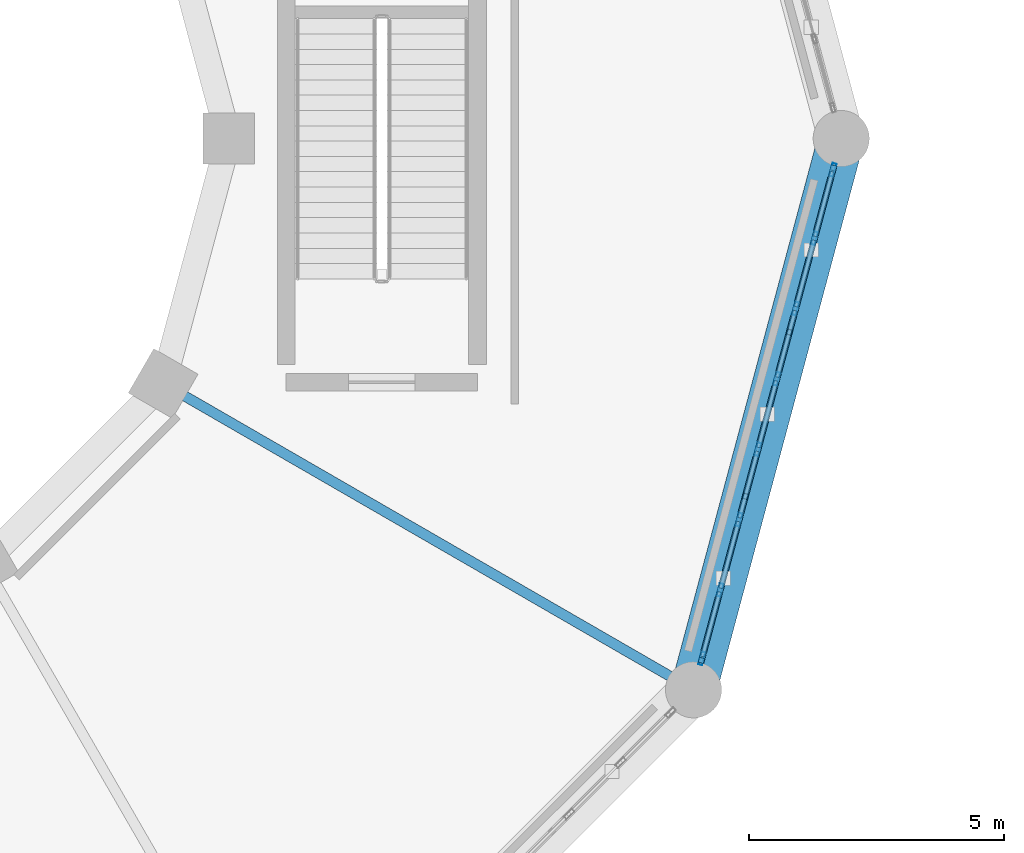
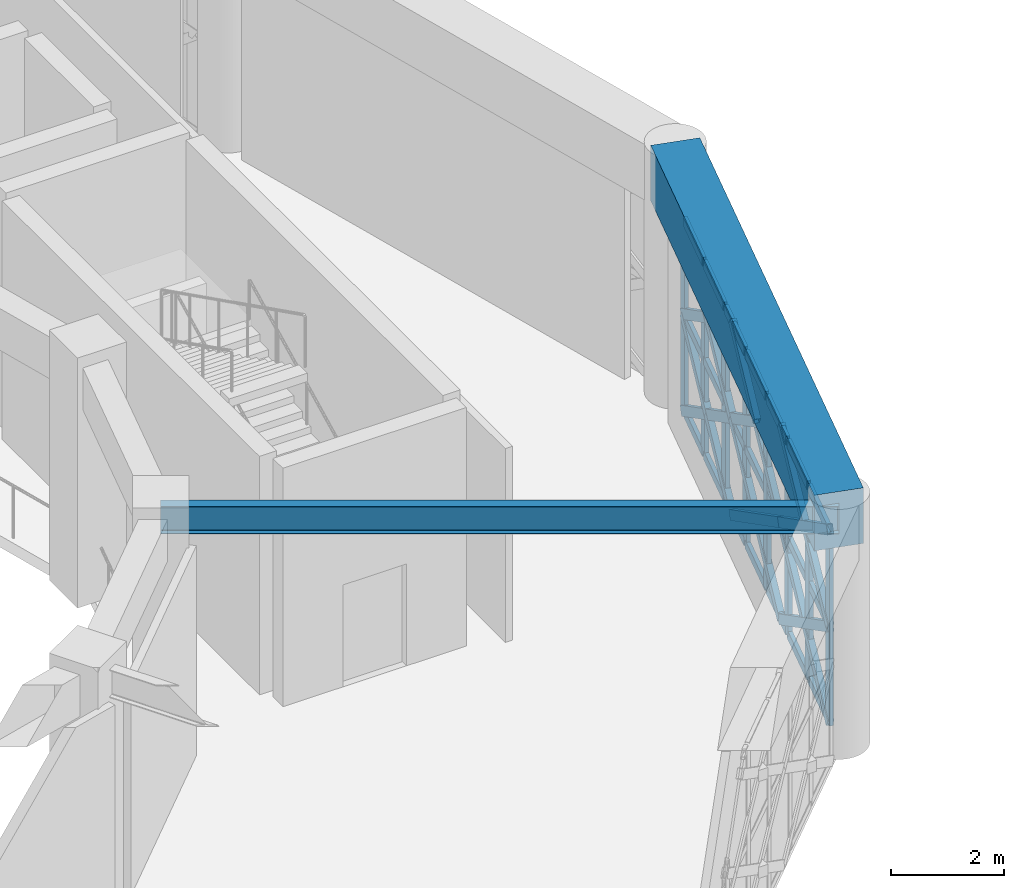
# One storey, part 31 of 72: 47 members, 2 beams, 1 element without a shape of its own.
"""IFC4 building model written with IfcOpenShell, lengths in metres."""

from ifc_helpers import new_model, si_unit, direction, frame, origin, origin_2d, place, context, subcontext, project, spatial, rectangle, hollow_rectangle, i_section, extrude, material, material_profile, profile_set, type_object, element, aggregate, save


model = new_model("IFC4")

# Units and contexts
model_context = context("Model", 3, precision=1e-05, world=origin(), true_north=direction((0.0, 1.0)))
body_context = subcontext(model_context, "Body", "Model", "MODEL_VIEW")
ifc_project = project(units=[si_unit("LENGTHUNIT", "METRE"), si_unit("AREAUNIT", "SQUARE_METRE"), si_unit("VOLUMEUNIT", "CUBIC_METRE"), si_unit("PLANEANGLEUNIT", "RADIAN"), si_unit("MASSUNIT", "GRAM", prefix="KILO")], contexts=[model_context])

# Site, building, storey
site_placement = place(None, origin())
site = spatial("IfcSite", under=ifc_project, at=site_placement, CompositionType="ELEMENT")
building_placement = place(site_placement, origin())
building = spatial("IfcBuilding", under=site, at=building_placement, Name="Haizhuo Lancet Aquarium", CompositionType="ELEMENT")
storey_placement = place(building_placement, frame((0.0, 0.0, 21.60009765625)))
storey = spatial("IfcBuildingStorey", under=building, at=storey_placement, Name="L04", CompositionType="ELEMENT", Elevation=21.60009765625)

# Beams
ifc_material_1 = material(Name="Concrete C50/60", Category="concrete")
ifc_material_profile_1 = material_profile(ifc_material_1, rectangle(XDim=0.89990234375, YDim=1.199951171875, at=origin_2d()), Name="RC-RB 900x1200")
ifc_profile_set_1 = profile_set([ifc_material_profile_1], Name="Concrete C50/60")
beam_type_1 = type_object("IfcBeamType", Name="BM-RB-900x1200", PredefinedType="USERDEFINED", material=ifc_profile_set_1)
beam_1_placement = place(storey_placement, frame((18.7060546875, -10.800048828125, 4.7998046875), z_axis=(0.258833949056, 0.965921832664, 0.0), x_axis=(-0.965921832664, 0.258833949056, 0.0)))
element("IfcBeam", 1, at=beam_1_placement, inside=storey, type_object=beam_type_1, Name="Ocean Hall dome tension ring beam RB-1 seg 12", ObjectType="RING BEAM", PredefinedType="USERDEFINED", context=body_context, shape_type="SweptSolid", body=[
    extrude(rectangle(XDim=0.89990234375, YDim=1.199951171875, at=origin_2d()), origin(), (0.0, 0.0, 1.0), 11.18115234375),
])
ifc_material_2 = material(Name="Steel S355", Category="steel")
ifc_material_profile_2 = material_profile(ifc_material_2, i_section(OverallWidth=0.199951171875, OverallDepth=0.60009765625, WebThickness=0.010986328125, FlangeThickness=0.01708984375, FilletRadius=0.02197265625, at=origin_2d()), Name="HN 600x200x11x17")
ifc_profile_set_2 = profile_set([ifc_material_profile_2], Name="Steel S355")
beam_type_2 = type_object("IfcBeamType", Name="BM-ST-HN600", PredefinedType="BEAM", material=ifc_profile_set_2)
beam_2_placement = place(storey_placement, frame((8.31396484375, -4.800048828125, 4.849853515625), z_axis=(0.866020924479, -0.500007758305, 0.0), x_axis=(0.500007758305, 0.866020924479, 0.0)))
element("IfcBeam", 2, at=beam_2_placement, inside=storey, type_object=beam_type_2, Name="L04 radial gallery girder 12", PredefinedType="BEAM", context=body_context, shape_type="SweptSolid", body=[
    extrude(i_section(OverallWidth=0.199951171875, OverallDepth=0.60009765625, WebThickness=0.010986328125, FlangeThickness=0.01708984375, FilletRadius=0.02197265625, at=origin_2d()), origin(), (0.0, 0.0, 1.0), 11.999755859375),
])

# Curtain wall, members
ifc_material_3 = material(Name="Aluminium 6063-T6", Category="aluminium")
curtain_wall_type = type_object("IfcCurtainWallType", Name="CWO-9990x4180", PredefinedType="NOTDEFINED", material=ifc_material_3)
curtain_wall_placement = place(storey_placement, origin())
curtain_wall = element("IfcCurtainWall", 3, at=curtain_wall_placement, inside=storey, type_object=curtain_wall_type, Name="L04 curtain wall CW-V1-L04-12", PredefinedType="NOTDEFINED")
ifc_material_profile_3 = material_profile(ifc_material_3, hollow_rectangle(XDim=0.080078125, YDim=0.260009765625, WallThickness=0.0048828125, at=origin_2d()), Name="ALU-M 80x260x5")
ifc_profile_set_3 = profile_set([ifc_material_profile_3], Name="Aluminium 6063-T6")
member_type_1 = type_object("IfcMemberType", Name="CW-MUL-3", PredefinedType="MULLION", material=ifc_profile_set_3)
member_1_placement = place(storey_placement, frame((21.43603515625, -0.614013671875, 0.0), z_axis=(0.0, 0.0, 1.0), x_axis=(0.965916791212, -0.258852762117, 0.0)))
member_1 = element("IfcMember", 4, at=member_1_placement, type_object=member_type_1, Name="CWO-99x41 mullion 1", PredefinedType="MULLION", context=body_context, shape_type="SweptSolid", body=[
    extrude(hollow_rectangle(XDim=0.080078125, YDim=0.260009765625, WallThickness=0.0048828125, at=origin_2d()), origin(), (0.0, 0.0, 1.0), 4.184814453125),
])
member_2_placement = place(storey_placement, frame((21.076904296875, -1.9541015625, 0.0), z_axis=(0.0, 0.0, 1.0), x_axis=(0.965916791212, -0.258852762117, 0.0)))
member_2 = element("IfcMember", 5, at=member_2_placement, type_object=member_type_1, Name="CWO-99x41 mullion 2", PredefinedType="MULLION", context=body_context, shape_type="SweptSolid", body=[
    extrude(hollow_rectangle(XDim=0.080078125, YDim=0.260009765625, WallThickness=0.0048828125, at=origin_2d()), origin(), (0.0, 0.0, 1.0), 4.184814453125),
])
member_3_placement = place(storey_placement, frame((20.70703125, -3.33203125, 0.0), z_axis=(0.0, 0.0, 1.0), x_axis=(0.965916791212, -0.258852762117, 0.0)))
member_3 = element("IfcMember", 6, at=member_3_placement, type_object=member_type_1, Name="CWO-99x41 mullion 3", PredefinedType="MULLION", context=body_context, shape_type="SweptSolid", body=[
    extrude(hollow_rectangle(XDim=0.080078125, YDim=0.260009765625, WallThickness=0.0048828125, at=origin_2d()), origin(), (0.0, 0.0, 1.0), 4.184814453125),
])
member_4_placement = place(storey_placement, frame((20.337890625, -4.7109375, 0.0), z_axis=(0.0, 0.0, 1.0), x_axis=(0.965916791212, -0.258852762117, 0.0)))
member_4 = element("IfcMember", 7, at=member_4_placement, type_object=member_type_1, Name="CWO-99x41 mullion 4", PredefinedType="MULLION", context=body_context, shape_type="SweptSolid", body=[
    extrude(hollow_rectangle(XDim=0.080078125, YDim=0.260009765625, WallThickness=0.0048828125, at=origin_2d()), origin(), (0.0, 0.0, 1.0), 4.184814453125),
])
member_5_placement = place(storey_placement, frame((19.968017578125, -6.089111328125, 0.0), z_axis=(0.0, 0.0, 1.0), x_axis=(0.965916791212, -0.258852762117, 0.0)))
member_5 = element("IfcMember", 8, at=member_5_placement, type_object=member_type_1, Name="CWO-99x41 mullion 5", PredefinedType="MULLION", context=body_context, shape_type="SweptSolid", body=[
    extrude(hollow_rectangle(XDim=0.080078125, YDim=0.260009765625, WallThickness=0.0048828125, at=origin_2d()), origin(), (0.0, 0.0, 1.0), 4.184814453125),
])
member_6_placement = place(storey_placement, frame((19.59912109375, -7.468017578125, 0.0), z_axis=(0.0, 0.0, 1.0), x_axis=(0.965916791212, -0.258852762117, 0.0)))
member_6 = element("IfcMember", 9, at=member_6_placement, type_object=member_type_1, Name="CWO-99x41 mullion 6", PredefinedType="MULLION", context=body_context, shape_type="SweptSolid", body=[
    extrude(hollow_rectangle(XDim=0.080078125, YDim=0.260009765625, WallThickness=0.0048828125, at=origin_2d()), origin(), (0.0, 0.0, 1.0), 4.184814453125),
])
member_7_placement = place(storey_placement, frame((19.22900390625, -8.845947265625, 0.0), z_axis=(0.0, 0.0, 1.0), x_axis=(0.965916791212, -0.258852762117, 0.0)))
member_7 = element("IfcMember", 10, at=member_7_placement, type_object=member_type_1, Name="CWO-99x41 mullion 7", PredefinedType="MULLION", context=body_context, shape_type="SweptSolid", body=[
    extrude(hollow_rectangle(XDim=0.080078125, YDim=0.260009765625, WallThickness=0.0048828125, at=origin_2d()), origin(), (0.0, 0.0, 1.0), 4.184814453125),
])
member_8_placement = place(storey_placement, frame((18.8701171875, -10.18603515625, 0.0), z_axis=(0.0, 0.0, 1.0), x_axis=(0.965916791212, -0.258852762117, 0.0)))
member_8 = element("IfcMember", 11, at=member_8_placement, type_object=member_type_1, Name="CWO-99x41 mullion 8", PredefinedType="MULLION", context=body_context, shape_type="SweptSolid", body=[
    extrude(hollow_rectangle(XDim=0.080078125, YDim=0.260009765625, WallThickness=0.0048828125, at=origin_2d()), origin(), (0.0, 0.0, 1.0), 4.184814453125),
])
ifc_material_profile_4 = material_profile(ifc_material_3, hollow_rectangle(XDim=0.080078125, YDim=0.18994140625, WallThickness=0.0048828125, at=origin_2d()), Name="ALU-T 80x190x5")
ifc_profile_set_4 = profile_set([ifc_material_profile_4], Name="Aluminium 6063-T6")
member_type_2 = type_object("IfcMemberType", Name="CW-TRN-3", PredefinedType="NOTDEFINED", material=ifc_profile_set_4)
member_9_placement = place(storey_placement, frame((21.425048828125, -0.652099609375, 0.039794921875), z_axis=(-0.258627187571, -0.965977213939, 0.0), x_axis=(0.965977213939, -0.258627187571, 0.0)))
member_9 = element("IfcMember", 12, at=member_9_placement, type_object=member_type_2, Name="CWO-99x41 transom 1.1", ObjectType="TRANSOM", PredefinedType="USERDEFINED", context=body_context, shape_type="SweptSolid", body=[
    extrude(hollow_rectangle(XDim=0.080078125, YDim=0.18994140625, WallThickness=0.0048828125, at=origin_2d()), origin(), (0.0, 0.0, 1.0), 1.307373046875),
])
member_10_placement = place(storey_placement, frame((21.425048828125, -0.652099609375, 2.093017578125), z_axis=(-0.258627187571, -0.965977213939, 0.0), x_axis=(0.965977213939, -0.258627187571, 0.0)))
member_10 = element("IfcMember", 13, at=member_10_placement, type_object=member_type_2, Name="CWO-99x41 transom 1.2", ObjectType="TRANSOM", PredefinedType="USERDEFINED", context=body_context, shape_type="SweptSolid", body=[
    extrude(hollow_rectangle(XDim=0.080078125, YDim=0.18994140625, WallThickness=0.0048828125, at=origin_2d()), origin(), (0.0, 0.0, 1.0), 1.307373046875),
])
member_11_placement = place(storey_placement, frame((21.425048828125, -0.652099609375, 4.14501953125), z_axis=(-0.258627187571, -0.965977213939, 0.0), x_axis=(0.965977213939, -0.258627187571, 0.0)))
member_11 = element("IfcMember", 14, at=member_11_placement, type_object=member_type_2, Name="CWO-99x41 transom 1.3", ObjectType="TRANSOM", PredefinedType="USERDEFINED", context=body_context, shape_type="SweptSolid", body=[
    extrude(hollow_rectangle(XDim=0.080078125, YDim=0.18994140625, WallThickness=0.0048828125, at=origin_2d()), origin(), (0.0, 0.0, 1.0), 1.307373046875),
])
member_12_placement = place(storey_placement, frame((21.06591796875, -1.991943359375, 0.039794921875), z_axis=(-0.258823600504, -0.965924605661, 0.0), x_axis=(0.965924605661, -0.258823600504, 0.0)))
member_12 = element("IfcMember", 15, at=member_12_placement, type_object=member_type_2, Name="CWO-99x41 transom 2.1", ObjectType="TRANSOM", PredefinedType="USERDEFINED", context=body_context, shape_type="SweptSolid", body=[
    extrude(hollow_rectangle(XDim=0.080078125, YDim=0.18994140625, WallThickness=0.0048828125, at=origin_2d()), origin(), (0.0, 0.0, 1.0), 1.347900390625),
])
member_13_placement = place(storey_placement, frame((21.06591796875, -1.991943359375, 2.093017578125), z_axis=(-0.258823600504, -0.965924605661, 0.0), x_axis=(0.965924605661, -0.258823600504, 0.0)))
member_13 = element("IfcMember", 16, at=member_13_placement, type_object=member_type_2, Name="CWO-99x41 transom 2.2", ObjectType="TRANSOM", PredefinedType="USERDEFINED", context=body_context, shape_type="SweptSolid", body=[
    extrude(hollow_rectangle(XDim=0.080078125, YDim=0.18994140625, WallThickness=0.0048828125, at=origin_2d()), origin(), (0.0, 0.0, 1.0), 1.347900390625),
])
member_14_placement = place(storey_placement, frame((21.06591796875, -1.991943359375, 4.14501953125), z_axis=(-0.258823600504, -0.965924605661, 0.0), x_axis=(0.965924605661, -0.258823600504, 0.0)))
member_14 = element("IfcMember", 17, at=member_14_placement, type_object=member_type_2, Name="CWO-99x41 transom 2.3", ObjectType="TRANSOM", PredefinedType="USERDEFINED", context=body_context, shape_type="SweptSolid", body=[
    extrude(hollow_rectangle(XDim=0.080078125, YDim=0.18994140625, WallThickness=0.0048828125, at=origin_2d()), origin(), (0.0, 0.0, 1.0), 1.347900390625),
])
member_15_placement = place(storey_placement, frame((20.697021484375, -3.37109375, 0.039794921875), z_axis=(-0.259173926217, -0.965830666302, 0.0), x_axis=(0.965830666302, -0.259173926217, 0.0)))
member_15 = element("IfcMember", 18, at=member_15_placement, type_object=member_type_2, Name="CWO-99x41 transom 3.1", ObjectType="TRANSOM", PredefinedType="USERDEFINED", context=body_context, shape_type="SweptSolid", body=[
    extrude(hollow_rectangle(XDim=0.080078125, YDim=0.18994140625, WallThickness=0.0048828125, at=origin_2d()), origin(), (0.0, 0.0, 1.0), 1.34716796875),
])
member_16_placement = place(storey_placement, frame((20.697021484375, -3.37109375, 2.093017578125), z_axis=(-0.259173926217, -0.965830666302, 0.0), x_axis=(0.965830666302, -0.259173926217, 0.0)))
member_16 = element("IfcMember", 19, at=member_16_placement, type_object=member_type_2, Name="CWO-99x41 transom 3.2", ObjectType="TRANSOM", PredefinedType="USERDEFINED", context=body_context, shape_type="SweptSolid", body=[
    extrude(hollow_rectangle(XDim=0.080078125, YDim=0.18994140625, WallThickness=0.0048828125, at=origin_2d()), origin(), (0.0, 0.0, 1.0), 1.34716796875),
])
member_17_placement = place(storey_placement, frame((20.697021484375, -3.37109375, 4.14501953125), z_axis=(-0.259173926217, -0.965830666302, 0.0), x_axis=(0.965830666302, -0.259173926217, 0.0)))
member_17 = element("IfcMember", 20, at=member_17_placement, type_object=member_type_2, Name="CWO-99x41 transom 3.3", ObjectType="TRANSOM", PredefinedType="USERDEFINED", context=body_context, shape_type="SweptSolid", body=[
    extrude(hollow_rectangle(XDim=0.080078125, YDim=0.18994140625, WallThickness=0.0048828125, at=origin_2d()), origin(), (0.0, 0.0, 1.0), 1.34716796875),
])
member_18_placement = place(storey_placement, frame((20.326904296875, -4.7490234375, 0.039794921875), z_axis=(-0.258147455011, -0.966105528124, 0.0), x_axis=(0.966105528124, -0.258147455011, 0.0)))
member_18 = element("IfcMember", 21, at=member_18_placement, type_object=member_type_2, Name="CWO-99x41 transom 4.1", ObjectType="TRANSOM", PredefinedType="USERDEFINED", context=body_context, shape_type="SweptSolid", body=[
    extrude(hollow_rectangle(XDim=0.080078125, YDim=0.18994140625, WallThickness=0.0048828125, at=origin_2d()), origin(), (0.0, 0.0, 1.0), 1.34765625),
])
member_19_placement = place(storey_placement, frame((20.326904296875, -4.7490234375, 2.093017578125), z_axis=(-0.258147455011, -0.966105528124, 0.0), x_axis=(0.966105528124, -0.258147455011, 0.0)))
member_19 = element("IfcMember", 22, at=member_19_placement, type_object=member_type_2, Name="CWO-99x41 transom 4.2", ObjectType="TRANSOM", PredefinedType="USERDEFINED", context=body_context, shape_type="SweptSolid", body=[
    extrude(hollow_rectangle(XDim=0.080078125, YDim=0.18994140625, WallThickness=0.0048828125, at=origin_2d()), origin(), (0.0, 0.0, 1.0), 1.34765625),
])
member_20_placement = place(storey_placement, frame((20.326904296875, -4.7490234375, 4.14501953125), z_axis=(-0.258147455011, -0.966105528124, 0.0), x_axis=(0.966105528124, -0.258147455011, 0.0)))
member_20 = element("IfcMember", 23, at=member_20_placement, type_object=member_type_2, Name="CWO-99x41 transom 4.3", ObjectType="TRANSOM", PredefinedType="USERDEFINED", context=body_context, shape_type="SweptSolid", body=[
    extrude(hollow_rectangle(XDim=0.080078125, YDim=0.18994140625, WallThickness=0.0048828125, at=origin_2d()), origin(), (0.0, 0.0, 1.0), 1.34765625),
])
member_21_placement = place(storey_placement, frame((19.9580078125, -6.1279296875, 0.039794921875), z_axis=(-0.259173926217, -0.965830666302, 0.0), x_axis=(0.965830666302, -0.259173926217, 0.0)))
member_21 = element("IfcMember", 24, at=member_21_placement, type_object=member_type_2, Name="CWO-99x41 transom 5.1", ObjectType="TRANSOM", PredefinedType="USERDEFINED", context=body_context, shape_type="SweptSolid", body=[
    extrude(hollow_rectangle(XDim=0.080078125, YDim=0.18994140625, WallThickness=0.0048828125, at=origin_2d()), origin(), (0.0, 0.0, 1.0), 1.34716796875),
])
member_22_placement = place(storey_placement, frame((19.9580078125, -6.1279296875, 2.093017578125), z_axis=(-0.259173926217, -0.965830666302, 0.0), x_axis=(0.965830666302, -0.259173926217, 0.0)))
member_22 = element("IfcMember", 25, at=member_22_placement, type_object=member_type_2, Name="CWO-99x41 transom 5.2", ObjectType="TRANSOM", PredefinedType="USERDEFINED", context=body_context, shape_type="SweptSolid", body=[
    extrude(hollow_rectangle(XDim=0.080078125, YDim=0.18994140625, WallThickness=0.0048828125, at=origin_2d()), origin(), (0.0, 0.0, 1.0), 1.34716796875),
])
member_23_placement = place(storey_placement, frame((19.9580078125, -6.1279296875, 4.14501953125), z_axis=(-0.259173926217, -0.965830666302, 0.0), x_axis=(0.965830666302, -0.259173926217, 0.0)))
member_23 = element("IfcMember", 26, at=member_23_placement, type_object=member_type_2, Name="CWO-99x41 transom 5.3", ObjectType="TRANSOM", PredefinedType="USERDEFINED", context=body_context, shape_type="SweptSolid", body=[
    extrude(hollow_rectangle(XDim=0.080078125, YDim=0.18994140625, WallThickness=0.0048828125, at=origin_2d()), origin(), (0.0, 0.0, 1.0), 1.34716796875),
])
member_24_placement = place(storey_placement, frame((19.589111328125, -7.506103515625, 0.039794921875), z_axis=(-0.25899257749, -0.965879311718, 0.0), x_axis=(0.965879311718, -0.25899257749, 0.0)))
member_24 = element("IfcMember", 27, at=member_24_placement, type_object=member_type_2, Name="CWO-99x41 transom 6.1", ObjectType="TRANSOM", PredefinedType="USERDEFINED", context=body_context, shape_type="SweptSolid", body=[
    extrude(hollow_rectangle(XDim=0.080078125, YDim=0.18994140625, WallThickness=0.0048828125, at=origin_2d()), origin(), (0.0, 0.0, 1.0), 1.347900390625),
])
member_25_placement = place(storey_placement, frame((19.589111328125, -7.506103515625, 2.093017578125), z_axis=(-0.25899257749, -0.965879311718, 0.0), x_axis=(0.965879311718, -0.25899257749, 0.0)))
member_25 = element("IfcMember", 28, at=member_25_placement, type_object=member_type_2, Name="CWO-99x41 transom 6.2", ObjectType="TRANSOM", PredefinedType="USERDEFINED", context=body_context, shape_type="SweptSolid", body=[
    extrude(hollow_rectangle(XDim=0.080078125, YDim=0.18994140625, WallThickness=0.0048828125, at=origin_2d()), origin(), (0.0, 0.0, 1.0), 1.347900390625),
])
member_26_placement = place(storey_placement, frame((19.589111328125, -7.506103515625, 4.14501953125), z_axis=(-0.25899257749, -0.965879311718, 0.0), x_axis=(0.965879311718, -0.25899257749, 0.0)))
member_26 = element("IfcMember", 29, at=member_26_placement, type_object=member_type_2, Name="CWO-99x41 transom 6.3", ObjectType="TRANSOM", PredefinedType="USERDEFINED", context=body_context, shape_type="SweptSolid", body=[
    extrude(hollow_rectangle(XDim=0.080078125, YDim=0.18994140625, WallThickness=0.0048828125, at=origin_2d()), origin(), (0.0, 0.0, 1.0), 1.347900390625),
])
member_27_placement = place(storey_placement, frame((19.218994140625, -8.885009765625, 0.039794921875), z_axis=(-0.258452930816, -0.966023851958, 0.0), x_axis=(0.966023851958, -0.258452930816, 0.0)))
member_27 = element("IfcMember", 30, at=member_27_placement, type_object=member_type_2, Name="CWO-99x41 transom 7.1", ObjectType="TRANSOM", PredefinedType="USERDEFINED", context=body_context, shape_type="SweptSolid", body=[
    extrude(hollow_rectangle(XDim=0.080078125, YDim=0.18994140625, WallThickness=0.0048828125, at=origin_2d()), origin(), (0.0, 0.0, 1.0), 1.307373046875),
])
member_28_placement = place(storey_placement, frame((19.218994140625, -8.885009765625, 2.093017578125), z_axis=(-0.258452930816, -0.966023851958, 0.0), x_axis=(0.966023851958, -0.258452930816, 0.0)))
member_28 = element("IfcMember", 31, at=member_28_placement, type_object=member_type_2, Name="CWO-99x41 transom 7.2", ObjectType="TRANSOM", PredefinedType="USERDEFINED", context=body_context, shape_type="SweptSolid", body=[
    extrude(hollow_rectangle(XDim=0.080078125, YDim=0.18994140625, WallThickness=0.0048828125, at=origin_2d()), origin(), (0.0, 0.0, 1.0), 1.307373046875),
])
member_29_placement = place(storey_placement, frame((19.218994140625, -8.885009765625, 4.14501953125), z_axis=(-0.258452930816, -0.966023851958, 0.0), x_axis=(0.966023851958, -0.258452930816, 0.0)))
member_29 = element("IfcMember", 32, at=member_29_placement, type_object=member_type_2, Name="CWO-99x41 transom 7.3", ObjectType="TRANSOM", PredefinedType="USERDEFINED", context=body_context, shape_type="SweptSolid", body=[
    extrude(hollow_rectangle(XDim=0.080078125, YDim=0.18994140625, WallThickness=0.0048828125, at=origin_2d()), origin(), (0.0, 0.0, 1.0), 1.307373046875),
])
aggregate(curtain_wall, [member_1, member_2, member_3, member_4, member_5, member_6, member_7, member_8, member_9, member_10, member_11, member_12, member_13, member_14, member_15, member_16, member_17, member_18, member_19, member_20, member_21, member_22, member_23, member_24, member_25, member_26, member_27, member_28, member_29])

# Members
ifc_material_profile_5 = material_profile(ifc_material_2, hollow_rectangle(XDim=0.1201171875, YDim=0.199951171875, WallThickness=0.008056640625, at=origin_2d()), Name="RHS 120x200x8")
ifc_profile_set_5 = profile_set([ifc_material_profile_5], Name="Steel S355")
member_type_3 = type_object("IfcMemberType", Name="MEM-LB-RHS120x200", PredefinedType="BRACE", material=ifc_profile_set_5)
member_30_placement = place(storey_placement, frame((21.446044921875, -0.574951171875, 0.0), z_axis=(-0.219152972258, -0.8178359432, 0.532086783111), x_axis=(0.965921547218, -0.258835014285, 0.0)))
element("IfcMember", 33, at=member_30_placement, inside=storey, type_object=member_type_3, Name="Gothic lancet continuous diagonal brace CW-V1-L04-12 1A", PredefinedType="BRACE", context=body_context, shape_type="SweptSolid", body=[
    extrude(hollow_rectangle(XDim=0.1201171875, YDim=0.199951171875, WallThickness=0.008056640625, at=origin_2d()), origin(), (0.0, 0.0, 1.0), 3.93359375),
])
member_31_placement = place(storey_placement, frame((20.583984375, -3.7919921875, 0.0), z_axis=(0.21903882882, 0.817827695142, 0.53214645778), x_axis=(-0.965954592946, 0.258711662602, 0.0)))
element("IfcMember", 34, at=member_31_placement, inside=storey, type_object=member_type_3, Name="Gothic lancet split diagonal brace CW-V1-L04-12 1B1", PredefinedType="BRACE", context=body_context, shape_type="SweptSolid", body=[
    extrude(hollow_rectangle(XDim=0.1201171875, YDim=0.199951171875, WallThickness=0.008056640625, at=origin_2d()), origin(), (0.0, 0.0, 1.0), 1.96728515625),
])
member_32_placement = place(storey_placement, frame((21.014892578125, -2.18310546875, 1.046875), z_axis=(0.219267166329, 0.817844181547, 0.53202707119), x_axis=(-0.965888472942, 0.258958409476, 0.0)))
element("IfcMember", 35, at=member_32_placement, inside=storey, type_object=member_type_3, Name="Gothic lancet split diagonal brace CW-V1-L04-12 1B2", PredefinedType="BRACE", context=body_context, shape_type="SweptSolid", body=[
    extrude(hollow_rectangle(XDim=0.1201171875, YDim=0.199951171875, WallThickness=0.008056640625, at=origin_2d()), origin(), (0.0, 0.0, 1.0), 1.96630859375),
])
member_33_placement = place(storey_placement, frame((21.446044921875, -0.574951171875, 2.093017578125), z_axis=(-0.219189157407, -0.817970979087, 0.531864259605), x_axis=(0.965921547218, -0.258835014285, 0.0)))
element("IfcMember", 36, at=member_33_placement, inside=storey, type_object=member_type_3, Name="Gothic lancet continuous diagonal brace CW-V1-L04-12 2A", PredefinedType="BRACE", context=body_context, shape_type="SweptSolid", body=[
    extrude(hollow_rectangle(XDim=0.1201171875, YDim=0.199951171875, WallThickness=0.008056640625, at=origin_2d()), origin(), (0.0, 0.0, 1.0), 3.932861328125),
])
member_34_placement = place(storey_placement, frame((20.583984375, -3.7919921875, 2.093017578125), z_axis=(0.219096686113, 0.818043717557, 0.531790483462), x_axis=(-0.965954592946, 0.258711662602, 0.0)))
element("IfcMember", 37, at=member_34_placement, inside=storey, type_object=member_type_3, Name="Gothic lancet split diagonal brace CW-V1-L04-12 2B1", PredefinedType="BRACE", context=body_context, shape_type="SweptSolid", body=[
    extrude(hollow_rectangle(XDim=0.1201171875, YDim=0.199951171875, WallThickness=0.008056640625, at=origin_2d()), origin(), (0.0, 0.0, 1.0), 1.966796875),
])
member_35_placement = place(storey_placement, frame((21.014892578125, -2.18310546875, 3.138916015625), z_axis=(0.219281650132, 0.817898204654, 0.53193804596), x_axis=(-0.965888472942, 0.258958409476, 0.0)))
element("IfcMember", 38, at=member_35_placement, inside=storey, type_object=member_type_3, Name="Gothic lancet split diagonal brace CW-V1-L04-12 2B2", PredefinedType="BRACE", context=body_context, shape_type="SweptSolid", body=[
    extrude(hollow_rectangle(XDim=0.1201171875, YDim=0.199951171875, WallThickness=0.008056640625, at=origin_2d()), origin(), (0.0, 0.0, 1.0), 1.96630859375),
])
member_36_placement = place(storey_placement, frame((20.583984375, -3.7919921875, 0.0), z_axis=(-0.219197475284, -0.817753707708, 0.532194833081), x_axis=(0.965901894805, -0.258908342106, 0.0)))
element("IfcMember", 39, at=member_36_placement, inside=storey, type_object=member_type_3, Name="Gothic lancet continuous diagonal brace CW-V1-L04-12 3A", PredefinedType="BRACE", context=body_context, shape_type="SweptSolid", body=[
    extrude(hollow_rectangle(XDim=0.1201171875, YDim=0.199951171875, WallThickness=0.008056640625, at=origin_2d()), origin(), (0.0, 0.0, 1.0), 3.932861328125),
])
member_37_placement = place(storey_placement, frame((19.721923828125, -7.008056640625, 0.0), z_axis=(0.219223711867, 0.817682100833, 0.532294041046), x_axis=(-0.965888472942, 0.258958409476, 0.0)))
element("IfcMember", 40, at=member_37_placement, inside=storey, type_object=member_type_3, Name="Gothic lancet split diagonal brace CW-V1-L04-12 3B1", PredefinedType="BRACE", context=body_context, shape_type="SweptSolid", body=[
    extrude(hollow_rectangle(XDim=0.1201171875, YDim=0.199951171875, WallThickness=0.008056640625, at=origin_2d()), origin(), (0.0, 0.0, 1.0), 1.966796875),
])
member_38_placement = place(storey_placement, frame((20.153076171875, -5.39990234375, 1.046875), z_axis=(0.219171226687, 0.81782532519, 0.532095584336), x_axis=(-0.965915316483, 0.258858265046, 0.0)))
element("IfcMember", 41, at=member_38_placement, inside=storey, type_object=member_type_3, Name="Gothic lancet split diagonal brace CW-V1-L04-12 3B2", PredefinedType="BRACE", context=body_context, shape_type="SweptSolid", body=[
    extrude(hollow_rectangle(XDim=0.1201171875, YDim=0.199951171875, WallThickness=0.008056640625, at=origin_2d()), origin(), (0.0, 0.0, 1.0), 1.966064453125),
])
member_39_placement = place(storey_placement, frame((20.583984375, -3.7919921875, 2.093017578125), z_axis=(-0.219233682486, -0.817888784874, 0.531972300069), x_axis=(0.965901894805, -0.258908342106, 0.0)))
element("IfcMember", 42, at=member_39_placement, inside=storey, type_object=member_type_3, Name="Gothic lancet continuous diagonal brace CW-V1-L04-12 4A", PredefinedType="BRACE", context=body_context, shape_type="SweptSolid", body=[
    extrude(hollow_rectangle(XDim=0.1201171875, YDim=0.199951171875, WallThickness=0.008056640625, at=origin_2d()), origin(), (0.0, 0.0, 1.0), 3.93212890625),
])
member_40_placement = place(storey_placement, frame((19.721923828125, -7.008056640625, 2.093017578125), z_axis=(0.219281650132, 0.817898204654, 0.53193804596), x_axis=(-0.965888472942, 0.258958409476, 0.0)))
element("IfcMember", 43, at=member_40_placement, inside=storey, type_object=member_type_3, Name="Gothic lancet split diagonal brace CW-V1-L04-12 4B1", PredefinedType="BRACE", context=body_context, shape_type="SweptSolid", body=[
    extrude(hollow_rectangle(XDim=0.1201171875, YDim=0.199951171875, WallThickness=0.008056640625, at=origin_2d()), origin(), (0.0, 0.0, 1.0), 1.96630859375),
])
member_41_placement = place(storey_placement, frame((20.153076171875, -5.39990234375, 3.138916015625), z_axis=(0.219185707881, 0.817879360967, 0.532006556693), x_axis=(-0.965915316483, 0.258858265046, 0.0)))
element("IfcMember", 44, at=member_41_placement, inside=storey, type_object=member_type_3, Name="Gothic lancet split diagonal brace CW-V1-L04-12 4B2", PredefinedType="BRACE", context=body_context, shape_type="SweptSolid", body=[
    extrude(hollow_rectangle(XDim=0.1201171875, YDim=0.199951171875, WallThickness=0.008056640625, at=origin_2d()), origin(), (0.0, 0.0, 1.0), 1.966064453125),
])
member_42_placement = place(storey_placement, frame((19.721923828125, -7.008056640625, 0.0), z_axis=(-0.219093886519, -0.817847065908, 0.532094019582), x_axis=(0.965939872094, -0.258766619754, 0.0)))
element("IfcMember", 45, at=member_42_placement, inside=storey, type_object=member_type_3, Name="Gothic lancet continuous diagonal brace CW-V1-L04-12 5A", PredefinedType="BRACE", context=body_context, shape_type="SweptSolid", body=[
    extrude(hollow_rectangle(XDim=0.1201171875, YDim=0.199951171875, WallThickness=0.008056640625, at=origin_2d()), origin(), (0.0, 0.0, 1.0), 3.93359375),
])
member_43_placement = place(storey_placement, frame((18.860107421875, -10.22509765625, 0.0), z_axis=(0.219105537151, 0.81770434743, 0.532308523118), x_axis=(-0.965925141858, 0.25882159942, 0.0)))
element("IfcMember", 46, at=member_43_placement, inside=storey, type_object=member_type_3, Name="Gothic lancet split diagonal brace CW-V1-L04-12 5B1", PredefinedType="BRACE", context=body_context, shape_type="SweptSolid", body=[
    extrude(hollow_rectangle(XDim=0.1201171875, YDim=0.199951171875, WallThickness=0.008056640625, at=origin_2d()), origin(), (0.0, 0.0, 1.0), 1.966552734375),
])
member_44_placement = place(storey_placement, frame((19.291015625, -8.616943359375, 1.046875), z_axis=(0.219082222555, 0.817989714809, 0.531879503484), x_axis=(-0.965954592946, 0.258711662602, 0.0)))
element("IfcMember", 47, at=member_44_placement, inside=storey, type_object=member_type_3, Name="Gothic lancet split diagonal brace CW-V1-L04-12 5B2", PredefinedType="BRACE", context=body_context, shape_type="SweptSolid", body=[
    extrude(hollow_rectangle(XDim=0.1201171875, YDim=0.199951171875, WallThickness=0.008056640625, at=origin_2d()), origin(), (0.0, 0.0, 1.0), 1.966796875),
])
member_45_placement = place(storey_placement, frame((19.721923828125, -7.008056640625, 2.093017578125), z_axis=(-0.219130062897, -0.817982107307, 0.531871495439), x_axis=(0.965939872094, -0.258766619754, 0.0)))
element("IfcMember", 48, at=member_45_placement, inside=storey, type_object=member_type_3, Name="Gothic lancet continuous diagonal brace CW-V1-L04-12 6A", PredefinedType="BRACE", context=body_context, shape_type="SweptSolid", body=[
    extrude(hollow_rectangle(XDim=0.1201171875, YDim=0.199951171875, WallThickness=0.008056640625, at=origin_2d()), origin(), (0.0, 0.0, 1.0), 3.932861328125),
])
member_46_placement = place(storey_placement, frame((18.860107421875, -10.22509765625, 2.093017578125), z_axis=(0.219163447336, 0.817920468895, 0.531952525997), x_axis=(-0.965925141858, 0.25882159942, 0.0)))
element("IfcMember", 49, at=member_46_placement, inside=storey, type_object=member_type_3, Name="Gothic lancet split diagonal brace CW-V1-L04-12 6B1", PredefinedType="BRACE", context=body_context, shape_type="SweptSolid", body=[
    extrude(hollow_rectangle(XDim=0.1201171875, YDim=0.199951171875, WallThickness=0.008056640625, at=origin_2d()), origin(), (0.0, 0.0, 1.0), 1.966064453125),
])
member_47_placement = place(storey_placement, frame((19.291015625, -8.616943359375, 3.138916015625), z_axis=(0.219096686113, 0.818043717557, 0.531790483462), x_axis=(-0.965954592946, 0.258711662602, 0.0)))
element("IfcMember", 50, at=member_47_placement, inside=storey, type_object=member_type_3, Name="Gothic lancet split diagonal brace CW-V1-L04-12 6B2", PredefinedType="BRACE", context=body_context, shape_type="SweptSolid", body=[
    extrude(hollow_rectangle(XDim=0.1201171875, YDim=0.199951171875, WallThickness=0.008056640625, at=origin_2d()), origin(), (0.0, 0.0, 1.0), 1.966796875),
])

save(model, "model.ifc")
